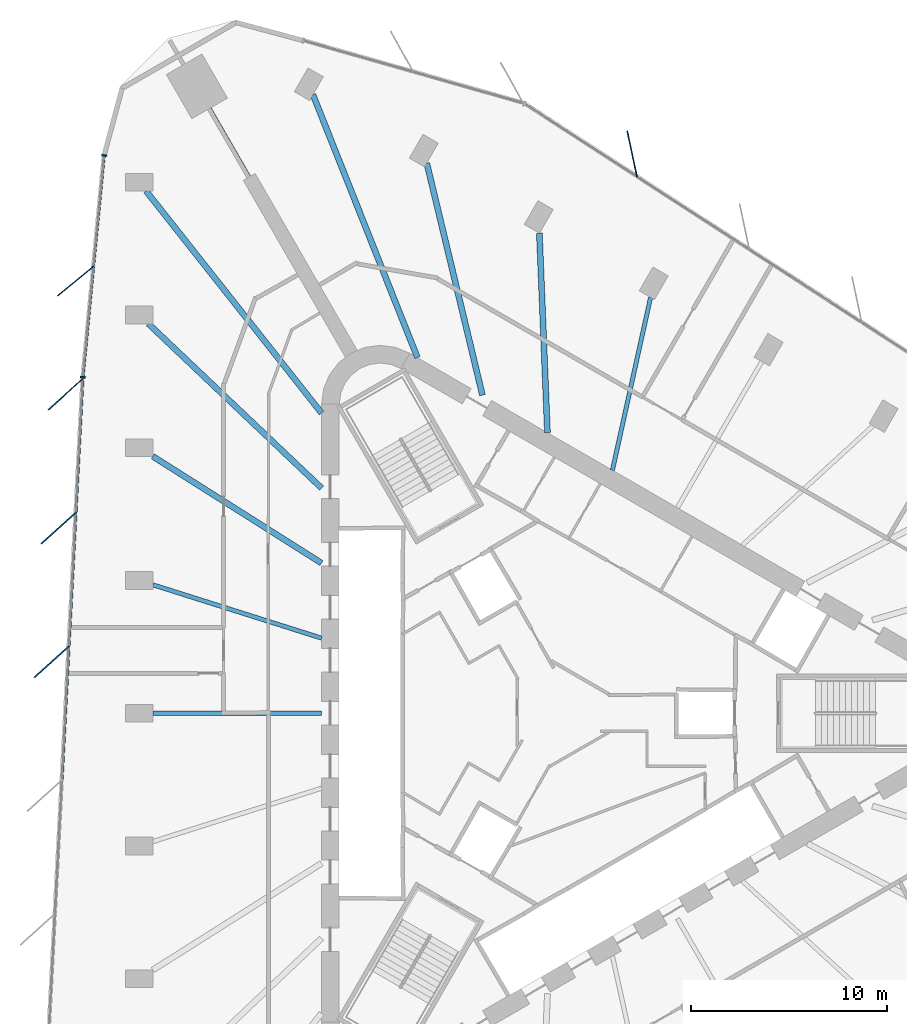
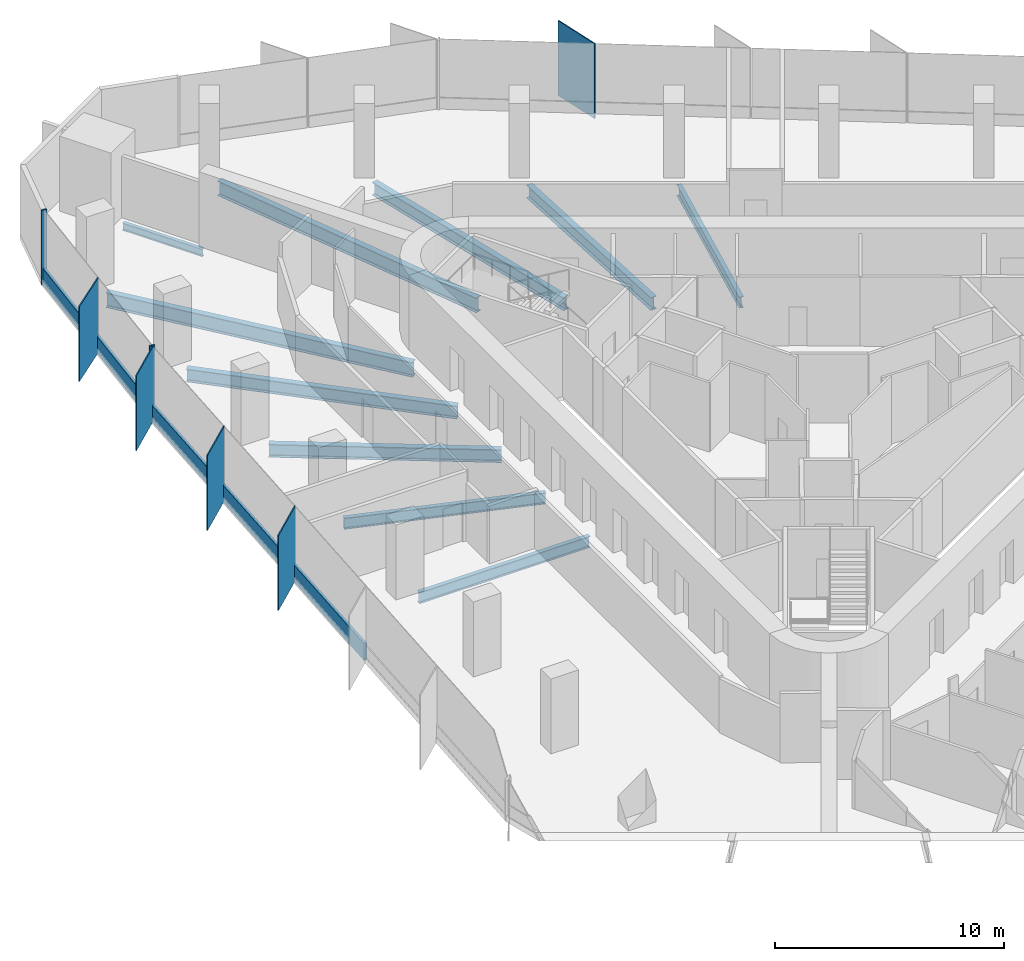
# One storey, part 4 of 14: 12 members, 10 beams, 3 elements without a shape of their own.
"""IFC4 building model written with IfcOpenShell, lengths in metres."""

from ifc_helpers import new_model, si_unit, direction, frame, origin, origin_2d, place, context, subcontext, project, spatial, rectangle, i_section, extrude, material, material_profile, profile_set, type_object, element, aggregate, save


model = new_model("IFC4")

# Units and contexts
model_context = context("Model", 3, precision=1e-05, world=origin(), true_north=direction((0.0, 1.0)))
body_context = subcontext(model_context, "Body", "Model", "MODEL_VIEW")
ifc_project = project(units=[si_unit("LENGTHUNIT", "METRE"), si_unit("AREAUNIT", "SQUARE_METRE"), si_unit("VOLUMEUNIT", "CUBIC_METRE"), si_unit("PLANEANGLEUNIT", "RADIAN"), si_unit("MASSUNIT", "GRAM", prefix="KILO")], contexts=[model_context])

# Site, building, storey
site_placement = place(None, origin())
site = spatial("IfcSite", under=ifc_project, at=site_placement, CompositionType="ELEMENT")
building_placement = place(site_placement, origin())
building = spatial("IfcBuilding", under=site, at=building_placement, Name="Tanit Gate Tower", CompositionType="ELEMENT")
storey_placement = place(building_placement, frame((0.0, 0.0, 261.199951171875)))
storey = spatial("IfcBuildingStorey", under=building, at=storey_placement, Name="L59", CompositionType="ELEMENT", Elevation=261.199951171875)

# Curtain wall, member
ifc_material_1 = material(Name="Aluminium bronze anodised and glass", Category="aluminium")
curtain_wall_type = type_object("IfcCurtainWallType", Name="Curtain wall typical mid", PredefinedType="NOTDEFINED", material=ifc_material_1)
curtain_wall_1_placement = place(storey_placement, origin())
curtain_wall_1 = element("IfcCurtainWall", 1, at=curtain_wall_1_placement, inside=storey, type_object=curtain_wall_type, Name="Curtain wall L59 NE2", PredefinedType="NOTDEFINED")
ifc_material_2 = material(Name="Aluminium bronze anodised", Category="aluminium")
ifc_material_profile_1 = material_profile(ifc_material_2, rectangle(XDim=2.39990234375, YDim=0.055908203125, at=origin_2d()), Name="56x2400 bronze fin mullion")
ifc_profile_set_1 = profile_set([ifc_material_profile_1], Name="Aluminium bronze anodised")
member_type_1 = type_object("IfcMemberType", Name="FIN MULLION 56x2400 bronze", PredefinedType="MULLION", material=ifc_profile_set_1)
member_1_placement = place(storey_placement, frame((3.74072265625, 28.524658203125, -0.300048828125), z_axis=(0.0, 0.0, 1.0), x_axis=(0.208373118697, -0.978049407445, 0.0)))
member_1 = element("IfcMember", 2, at=member_1_placement, type_object=member_type_1, Name="Fin mullion L59 NE2.5", PredefinedType="MULLION", context=body_context, shape_type="SweptSolid", body=[
    extrude(rectangle(XDim=2.39990234375, YDim=0.055908203125, at=origin_2d()), origin(), (0.0, 0.0, 1.0), 4.0),
])
aggregate(curtain_wall_1, [member_1])

curtain_wall_2_placement = place(storey_placement, origin())
curtain_wall_2 = element("IfcCurtainWall", 3, at=curtain_wall_2_placement, inside=storey, type_object=curtain_wall_type, Name="Curtain wall L59 W1", PredefinedType="NOTDEFINED")
member_2_placement = place(storey_placement, frame((-24.642578125, 22.0458984375, -0.300048828125), z_axis=(0.0, 0.0, 1.0), x_axis=(0.771200304617, 0.636592562129, 0.0)))
member_2 = element("IfcMember", 4, at=member_2_placement, type_object=member_type_1, Name="Fin mullion L59 W1.2", PredefinedType="MULLION", context=body_context, shape_type="SweptSolid", body=[
    extrude(rectangle(XDim=2.39990234375, YDim=0.055908203125, at=origin_2d()), origin(), (0.0, 0.0, 1.0), 4.0),
])

# Curtain wall, members
curtain_wall_3_placement = place(storey_placement, origin())
curtain_wall_3 = element("IfcCurtainWall", 5, at=curtain_wall_3_placement, inside=storey, type_object=curtain_wall_type, Name="Curtain wall L59 W2", PredefinedType="NOTDEFINED")
member_3_placement = place(storey_placement, frame((-25.156005859375, 16.2705078125, -0.300048828125), z_axis=(0.0, 0.0, 1.0), x_axis=(0.742829073656, 0.66948111798, 0.0)))
member_3 = element("IfcMember", 6, at=member_3_placement, type_object=member_type_1, Name="Fin mullion L59 W2.1", PredefinedType="MULLION", context=body_context, shape_type="SweptSolid", body=[
    extrude(rectangle(XDim=2.39990234375, YDim=0.055908203125, at=origin_2d()), origin(), (0.0, 0.0, 1.0), 4.0),
])
member_4_placement = place(storey_placement, frame((-25.51025390625, 9.447265625, -0.300048828125), z_axis=(0.0, 0.0, 1.0), x_axis=(0.742829073656, 0.66948111798, 0.0)))
member_4 = element("IfcMember", 7, at=member_4_placement, type_object=member_type_1, Name="Fin mullion L59 W2.2", PredefinedType="MULLION", context=body_context, shape_type="SweptSolid", body=[
    extrude(rectangle(XDim=2.39990234375, YDim=0.055908203125, at=origin_2d()), origin(), (0.0, 0.0, 1.0), 4.0),
])
member_5_placement = place(storey_placement, frame((-25.86474609375, 2.6240234375, -0.300048828125), z_axis=(0.0, 0.0, 1.0), x_axis=(0.742829073656, 0.66948111798, 0.0)))
member_5 = element("IfcMember", 8, at=member_5_placement, type_object=member_type_1, Name="Fin mullion L59 W2.3", PredefinedType="MULLION", context=body_context, shape_type="SweptSolid", body=[
    extrude(rectangle(XDim=2.39990234375, YDim=0.055908203125, at=origin_2d()), origin(), (0.0, 0.0, 1.0), 4.0),
])

# Member
ifc_material_3 = material(Name="Aluminium bronze anodised", Category="aluminium")
ifc_material_profile_2 = material_profile(ifc_material_3, rectangle(XDim=0.260009765625, YDim=0.080078125, at=origin_2d()), Name="80x260 bronze mullion")
ifc_profile_set_2 = profile_set([ifc_material_profile_2], Name="Aluminium bronze anodised")
member_type_2 = type_object("IfcMemberType", Name="Mullion 80x260 typical mid", PredefinedType="MULLION", material=ifc_profile_set_2)
member_6_placement = place(storey_placement, frame((-23.192626953125, 28.452880859375, -0.300048828125), z_axis=(0.0, 0.0, 1.0), x_axis=(0.995459882582, -0.095182047514, 0.0)))
member_6 = element("IfcMember", 9, at=member_6_placement, type_object=member_type_2, Name="Mullion L59 W1.1", PredefinedType="MULLION", context=body_context, shape_type="SweptSolid", body=[
    extrude(rectangle(XDim=0.260009765625, YDim=0.080078125, at=origin_2d()), origin(), (0.0, 0.0, 1.0), 4.0),
])

member_7_placement = place(storey_placement, frame((-24.2744140625, 17.139404296875, -0.300048828125), z_axis=(0.0, 0.0, 1.0), x_axis=(0.995459882582, -0.095182047514, 0.0)))
member_7 = element("IfcMember", 10, at=member_7_placement, type_object=member_type_2, Name="Mullion L59 W1.3", PredefinedType="MULLION", context=body_context, shape_type="SweptSolid", body=[
    extrude(rectangle(XDim=0.260009765625, YDim=0.080078125, at=origin_2d()), origin(), (0.0, 0.0, 1.0), 4.0),
])

# Beams
ifc_material_4 = material(Name="Steel S355", Category="steel")
ifc_material_profile_3 = material_profile(ifc_material_4, i_section(OverallWidth=0.300048828125, OverallDepth=0.68994140625, WebThickness=0.014404296875, FlangeThickness=0.027099609375, FilletRadius=0.027099609375, at=origin_2d()), Name="HEA 700")
ifc_profile_set_3 = profile_set([ifc_material_profile_3], Name="Steel S355")
beam_type_1 = type_object("IfcBeamType", Name="RADIAL GIRDER HEA 700 S355", PredefinedType="BEAM", material=ifc_profile_set_3)
beam_1_placement = place(storey_placement, frame((-0.990478515625, 24.482666015625, -0.64501953125), z_axis=(0.040423811094, -0.999182623696, 0.0), x_axis=(0.999182623696, 0.040423811094, 0.0)))
element("IfcBeam", 11, at=beam_1_placement, inside=storey, type_object=beam_type_1, Name="RADIAL GIRDER", PredefinedType="BEAM", context=body_context, shape_type="SweptSolid", body=[
    extrude(i_section(OverallWidth=0.300048828125, OverallDepth=0.68994140625, WebThickness=0.014404296875, FlangeThickness=0.027099609375, FilletRadius=0.027099609375, at=origin_2d()), origin(), (0.0, 0.0, 1.0), 10.1826171875),
])
for number, where, z_axis, x_axis, name in (
    (12, (-6.7353515625, 28.06005859375, -0.64501953125), (0.233413152093, -0.972377653194, 0.0), (0.972377653194, 0.233413152093, 0.0), "RADIAL GIRDER"),
    (13, (-20.93310546875, 19.86279296875, -0.64501953125), (0.725413886333, -0.688312932841, 0.0), (0.688312932841, 0.725413886333, 0.0), "RADIAL GIRDER"),
):
    element("IfcBeam", number, at=place(storey_placement, frame(where, z_axis=z_axis, x_axis=x_axis)), inside=storey, type_object=beam_type_1, Name=name, PredefinedType="BEAM", context=body_context, shape_type="SweptSolid", body=[
        extrude(i_section(OverallWidth=0.300048828125, OverallDepth=0.68994140625, WebThickness=0.014404296875, FlangeThickness=0.027099609375, FilletRadius=0.027099609375, at=origin_2d()), origin(), (0.0, 0.0, 1.0), 12.173828125),
    ])
beam_2_placement = place(storey_placement, frame((-20.707275390625, 13.09912109375, -0.64501953125), z_axis=(0.845101827665, -0.534605369293, 0.0), x_axis=(0.534605369293, 0.845101827665, 0.0)))
element("IfcBeam", 14, at=beam_2_placement, inside=storey, type_object=beam_type_1, Name="RADIAL GIRDER", PredefinedType="BEAM", context=body_context, shape_type="SweptSolid", body=[
    extrude(i_section(OverallWidth=0.300048828125, OverallDepth=0.68994140625, WebThickness=0.014404296875, FlangeThickness=0.027099609375, FilletRadius=0.027099609375, at=origin_2d()), origin(), (0.0, 0.0, 1.0), 10.182373046875),
])
ifc_material_5 = material(Name="Steel S355", Category="steel")
ifc_material_profile_4 = material_profile(ifc_material_5, i_section(OverallWidth=0.300048828125, OverallDepth=0.7900390625, WebThickness=0.014892578125, FlangeThickness=0.028076171875, FilletRadius=0.030029296875, at=origin_2d()), Name="HEA 800")
ifc_profile_set_4 = profile_set([ifc_material_profile_4], Name="Steel S355")
beam_type_2 = type_object("IfcBeamType", Name="RADIAL GIRDER HEA 800 S355", PredefinedType="BEAM", material=ifc_profile_set_4)
beam_3_placement = place(storey_placement, frame((-12.539794921875, 31.54833984375, -0.695068359375), z_axis=(0.369365772783, -0.929284093212, 0.0), x_axis=(0.929284093212, 0.369365772783, 0.0)))
element("IfcBeam", 15, at=beam_3_placement, inside=storey, type_object=beam_type_2, Name="RADIAL GIRDER", PredefinedType="BEAM", context=body_context, shape_type="SweptSolid", body=[
    extrude(i_section(OverallWidth=0.300048828125, OverallDepth=0.7900390625, WebThickness=0.014892578125, FlangeThickness=0.028076171875, FilletRadius=0.030029296875, at=origin_2d()), origin(), (0.0, 0.0, 1.0), 14.43310546875),
])
beam_4_placement = place(storey_placement, frame((-21.051513671875, 26.6337890625, -0.695068359375), z_axis=(0.6200900957, -0.784530606933, 0.0), x_axis=(0.784530606933, 0.6200900957, 0.0)))
element("IfcBeam", 16, at=beam_4_placement, inside=storey, type_object=beam_type_2, Name="RADIAL GIRDER", PredefinedType="BEAM", context=body_context, shape_type="SweptSolid", body=[
    extrude(i_section(OverallWidth=0.300048828125, OverallDepth=0.7900390625, WebThickness=0.014892578125, FlangeThickness=0.028076171875, FilletRadius=0.030029296875, at=origin_2d()), origin(), (0.0, 0.0, 1.0), 14.4326171875),
])
ifc_material_6 = material(Name="Steel S355", Category="steel")
ifc_material_profile_5 = material_profile(ifc_material_6, i_section(OverallWidth=0.179931640625, OverallDepth=0.39990234375, WebThickness=0.008544921875, FlangeThickness=0.013427734375, FilletRadius=0.02099609375, at=origin_2d()), Name="IPE 400")
ifc_profile_set_5 = profile_set([ifc_material_profile_5], Name="Steel S355")
beam_type_3 = type_object("IfcBeamType", Name="RADIAL GIRDER IPE 400 S355", PredefinedType="BEAM", material=ifc_profile_set_5)
beam_5_placement = place(storey_placement, frame((-17.81005859375, 30.847900390625, -0.5), z_axis=(0.500008591458, -0.866020443447, 0.0), x_axis=(0.866020443447, 0.500008591458, 0.0)))
element("IfcBeam", 17, at=beam_5_placement, inside=storey, type_object=beam_type_3, Name="RADIAL GIRDER", PredefinedType="BEAM", context=body_context, shape_type="SweptSolid", body=[
    extrude(i_section(OverallWidth=0.179931640625, OverallDepth=0.39990234375, WebThickness=0.008544921875, FlangeThickness=0.013427734375, FilletRadius=0.02099609375, at=origin_2d()), origin(), (0.0, 0.0, 1.0), 4.03759765625),
])
ifc_material_7 = material(Name="Steel S355", Category="steel")
ifc_material_profile_6 = material_profile(ifc_material_7, i_section(OverallWidth=0.219970703125, OverallDepth=0.60009765625, WebThickness=0.011962890625, FlangeThickness=0.01904296875, FilletRadius=0.02392578125, at=origin_2d()), Name="IPE 600")
ifc_profile_set_6 = profile_set([ifc_material_profile_6], Name="Steel S355")
beam_type_4 = type_object("IfcBeamType", Name="RADIAL GIRDER IPE 600 S355", PredefinedType="BEAM", material=ifc_profile_set_6)
beam_6_placement = place(storey_placement, frame((4.681396484375, 21.2080078125, -0.599853515625), z_axis=(-0.215532558001, -0.976496654598, 0.0), x_axis=(0.976496654598, -0.215532558001, 0.0)))
element("IfcBeam", 18, at=beam_6_placement, inside=storey, type_object=beam_type_4, Name="RADIAL GIRDER", PredefinedType="BEAM", context=body_context, shape_type="SweptSolid", body=[
    extrude(i_section(OverallWidth=0.219970703125, OverallDepth=0.60009765625, WebThickness=0.011962890625, FlangeThickness=0.01904296875, FilletRadius=0.02392578125, at=origin_2d()), origin(), (0.0, 0.0, 1.0), 9.025634765625),
])
beam_7_placement = place(storey_placement, frame((-20.707275390625, 6.549560546875, -0.599853515625), z_axis=(0.953447657806, -0.301558557869, 0.0), x_axis=(0.301558557869, 0.953447657806, 0.0)))
element("IfcBeam", 19, at=beam_7_placement, inside=storey, type_object=beam_type_4, Name="RADIAL GIRDER", PredefinedType="BEAM", context=body_context, shape_type="SweptSolid", body=[
    extrude(i_section(OverallWidth=0.219970703125, OverallDepth=0.60009765625, WebThickness=0.011962890625, FlangeThickness=0.01904296875, FilletRadius=0.02392578125, at=origin_2d()), origin(), (0.0, 0.0, 1.0), 9.025390625),
])
beam_8_placement = place(storey_placement, frame((-20.707275390625, 0.0, -0.599853515625), z_axis=(1.0, 0.0, 0.0), x_axis=(0.0, 1.0, 0.0)))
element("IfcBeam", 20, at=beam_8_placement, inside=storey, type_object=beam_type_4, Name="RADIAL GIRDER", PredefinedType="BEAM", context=body_context, shape_type="SweptSolid", body=[
    extrude(i_section(OverallWidth=0.219970703125, OverallDepth=0.60009765625, WebThickness=0.011962890625, FlangeThickness=0.01904296875, FilletRadius=0.02392578125, at=origin_2d()), origin(), (0.0, 0.0, 1.0), 8.605224609375),
])

# Member
ifc_material_8 = material(Name="Aluminium bronze anodised", Category="aluminium")
ifc_material_profile_7 = material_profile(ifc_material_8, rectangle(XDim=0.139892578125, YDim=0.89990234375, at=origin_2d()), Name="140x900 bronze transom")
ifc_profile_set_7 = profile_set([ifc_material_profile_7], Name="Aluminium bronze anodised")
member_type_3 = type_object("IfcMemberType", Name="Transom 140x900 typical mid", PredefinedType="USERDEFINED", material=ifc_profile_set_7)
member_8_placement = place(storey_placement, frame((-23.196533203125, 28.4130859375, 0.150146484375), z_axis=(-0.095175144466, -0.995460542601, 0.0), x_axis=(0.995460542601, -0.095175144466, 0.0)))
member_8 = element("IfcMember", 21, at=member_8_placement, type_object=member_type_3, Name="Transom L59 W1.1", ObjectType="TRANSOM", PredefinedType="USERDEFINED", context=body_context, shape_type="SweptSolid", body=[
    extrude(rectangle(XDim=0.139892578125, YDim=0.89990234375, at=origin_2d()), origin(), (0.0, 0.0, 1.0), 5.602294921875),
])

member_9_placement = place(storey_placement, frame((-23.7373046875, 22.75634765625, 0.150146484375), z_axis=(-0.095171015895, -0.995460937322, 0.0), x_axis=(0.995460937322, -0.095171015895, 0.0)))
member_9 = element("IfcMember", 22, at=member_9_placement, type_object=member_type_3, Name="Transom L59 W1.2", ObjectType="TRANSOM", PredefinedType="USERDEFINED", context=body_context, shape_type="SweptSolid", body=[
    extrude(rectangle(XDim=0.139892578125, YDim=0.89990234375, at=origin_2d()), origin(), (0.0, 0.0, 1.0), 5.6025390625),
])

aggregate(curtain_wall_2, [member_6, member_2, member_7, member_8, member_9])

member_10_placement = place(storey_placement, frame((-24.282470703125, 17.019775390625, 0.150146484375), z_axis=(-0.051847192816, -0.998655029826, 0.0), x_axis=(0.998655029826, -0.051847192816, 0.0)))
member_10 = element("IfcMember", 23, at=member_10_placement, type_object=member_type_3, Name="Transom L59 W2.1", ObjectType="TRANSOM", PredefinedType="USERDEFINED", context=body_context, shape_type="SweptSolid", body=[
    extrude(rectangle(XDim=0.139892578125, YDim=0.89990234375, at=origin_2d()), origin(), (0.0, 0.0, 1.0), 6.75244140625),
])

member_11_placement = place(storey_placement, frame((-24.63671875, 10.196533203125, 0.150146484375), z_axis=(-0.051883251167, -0.998653157131, 0.0), x_axis=(0.998653157131, -0.051883251167, 0.0)))
member_11 = element("IfcMember", 24, at=member_11_placement, type_object=member_type_3, Name="Transom L59 W2.2", ObjectType="TRANSOM", PredefinedType="USERDEFINED", context=body_context, shape_type="SweptSolid", body=[
    extrude(rectangle(XDim=0.139892578125, YDim=0.89990234375, at=origin_2d()), origin(), (0.0, 0.0, 1.0), 6.75244140625),
])

member_12_placement = place(storey_placement, frame((-24.9912109375, 3.373291015625, 0.150146484375), z_axis=(-0.051847192816, -0.998655029826, 0.0), x_axis=(0.998655029826, -0.051847192816, 0.0)))
member_12 = element("IfcMember", 25, at=member_12_placement, type_object=member_type_3, Name="Transom L59 W2.3", ObjectType="TRANSOM", PredefinedType="USERDEFINED", context=body_context, shape_type="SweptSolid", body=[
    extrude(rectangle(XDim=0.139892578125, YDim=0.89990234375, at=origin_2d()), origin(), (0.0, 0.0, 1.0), 6.75244140625),
])

aggregate(curtain_wall_3, [member_3, member_4, member_5, member_10, member_11, member_12])

save(model, "model.ifc")
